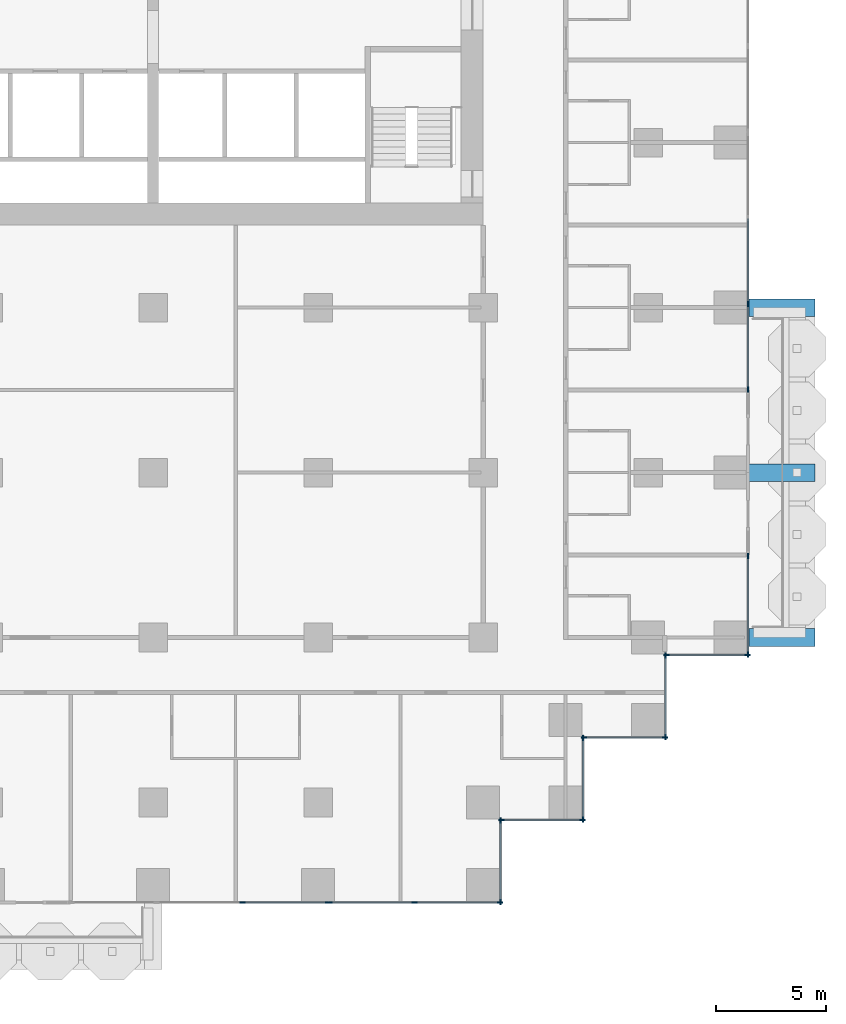
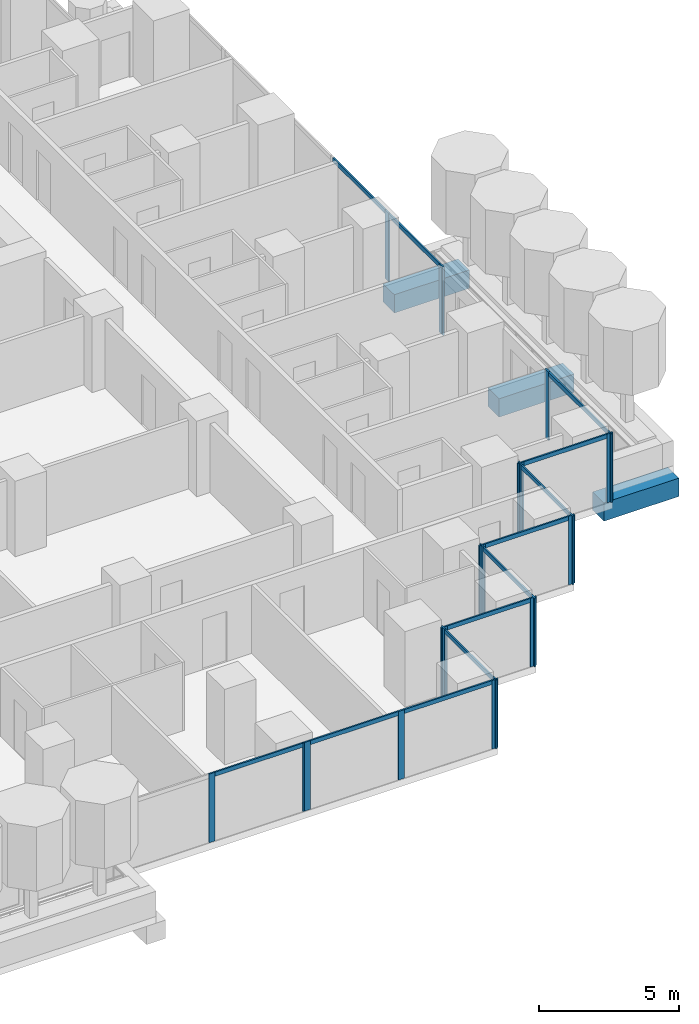
# One storey, part 4 of 18: 33 members, 3 beams, 10 elements without a shape of their own.
"""IFC4 building model written with IfcOpenShell, lengths in metres."""

from ifc_helpers import new_model, si_unit, direction, frame, origin, origin_2d, place, context, subcontext, project, spatial, rectangle, extrude, material, material_profile, profile_set, type_object, element, aggregate, save


model = new_model("IFC4")

# Units and contexts
model_context = context("Model", 3, precision=1e-05, world=origin(), true_north=direction((0.0, 1.0)))
body_context = subcontext(model_context, "Body", "Model", "MODEL_VIEW")
ifc_project = project(units=[si_unit("LENGTHUNIT", "METRE"), si_unit("AREAUNIT", "SQUARE_METRE"), si_unit("VOLUMEUNIT", "CUBIC_METRE"), si_unit("PLANEANGLEUNIT", "RADIAN"), si_unit("MASSUNIT", "GRAM", prefix="KILO")], contexts=[model_context])

# Site, building, storey
site_placement = place(None, origin())
site = spatial("IfcSite", under=ifc_project, at=site_placement, CompositionType="ELEMENT")
building_placement = place(site_placement, origin())
building = spatial("IfcBuilding", under=site, at=building_placement, Name="Pilkhan Gate Tower", CompositionType="ELEMENT")
storey_placement = place(building_placement, frame((0.0, 0.0, 82.39990234375)))
storey = spatial("IfcBuildingStorey", under=building, at=storey_placement, Name="L19", CompositionType="ELEMENT", Elevation=82.39990234375)

# Beams
ifc_material_1 = material(Name="Concrete C50/60", Category="concrete")
ifc_material_profile_1 = material_profile(ifc_material_1, rectangle(XDim=0.800048828125, YDim=0.800048828125, at=origin_2d()), Name="RC 800x800")
ifc_profile_set_1 = profile_set([ifc_material_profile_1], Name="Concrete C50/60")
beam_type = type_object("IfcBeamType", Name="Cantilever beam CB2 RC 800x800 C50/60", PredefinedType="BEAM", material=ifc_profile_set_1)
for number, where, z_axis, x_axis, name in (
    (1, (102.0, 52.5, -0.699951171875), (1.0, 0.0, 0.0), (0.0, 1.0, 0.0), "Balcony beam E.1 L19"),
    (2, (102.0, 60.0, -0.699951171875), (1.0, 0.0, 0.0), (0.0, 1.0, 0.0), "Balcony beam E.2 L19"),
    (3, (102.0, 67.5, -0.699951171875), (1.0, 0.0, 0.0), (0.0, 1.0, 0.0), "Balcony beam E.3 L19"),
):
    element("IfcBeam", number, at=place(storey_placement, frame(where, z_axis=z_axis, x_axis=x_axis)), inside=storey, type_object=beam_type, Name=name, PredefinedType="BEAM", context=body_context, shape_type="SweptSolid", body=[
        extrude(rectangle(XDim=0.800048828125, YDim=0.800048828125, at=origin_2d()), origin(), (0.0, 0.0, 1.0), 3.10009765625),
    ])

# Curtain wall, members
ifc_material_2 = material(Name="Pale anodised aluminium, clear low-iron double glazing", Category="aluminium")
curtain_wall_type = type_object("IfcCurtainWallType", Name="Hotel unitised curtain wall CW-H", PredefinedType="USERDEFINED", material=ifc_material_2)
curtain_wall_1_placement = place(storey_placement, origin())
curtain_wall_1 = element("IfcCurtainWall", 4, at=curtain_wall_1_placement, inside=storey, type_object=curtain_wall_type, Name="Hotel unitised curtain wall CW-H L19 E", ObjectType="UNITISED CURTAIN WALL", PredefinedType="USERDEFINED")
ifc_material_3 = material(Name="Pale anodised aluminium", Category="aluminium")
ifc_material_profile_2 = material_profile(ifc_material_3, rectangle(XDim=0.06494140625, YDim=0.25, at=origin_2d()), Name="Mullion 250x65")
ifc_profile_set_2 = profile_set([ifc_material_profile_2], Name="Pale anodised aluminium")
member_type_1 = type_object("IfcMemberType", Name="Mullion CW-H 250x65", PredefinedType="MULLION", material=ifc_profile_set_2)
member_1_placement = place(storey_placement, frame((102.044921875, 51.737548828125, 0.0), z_axis=(0.0, 0.0, 1.0), x_axis=(-1.0, 0.0, 0.0)))
member_1 = element("IfcMember", 5, at=member_1_placement, type_object=member_type_1, Name="CW-H mullion 1", PredefinedType="MULLION", context=body_context, shape_type="SweptSolid", body=[
    extrude(rectangle(XDim=0.06494140625, YDim=0.25, at=origin_2d()), origin(), (0.0, 0.0, 1.0), 3.0),
])
member_2_placement = place(storey_placement, frame((102.044921875, 56.217529296875, 0.0), z_axis=(0.0, 0.0, 1.0), x_axis=(-1.0, 0.0, 0.0)))
member_2 = element("IfcMember", 6, at=member_2_placement, type_object=member_type_1, Name="CW-H mullion 2", PredefinedType="MULLION", context=body_context, shape_type="SweptSolid", body=[
    extrude(rectangle(XDim=0.06494140625, YDim=0.25, at=origin_2d()), origin(), (0.0, 0.0, 1.0), 3.0),
])

curtain_wall_2_placement = place(storey_placement, origin())
curtain_wall_2 = element("IfcCurtainWall", 7, at=curtain_wall_2_placement, inside=storey, type_object=curtain_wall_type, Name="Hotel unitised curtain wall CW-H L19 E", ObjectType="UNITISED CURTAIN WALL", PredefinedType="USERDEFINED")
member_3_placement = place(storey_placement, frame((102.044921875, 63.782470703125, 0.0), z_axis=(0.0, 0.0, 1.0), x_axis=(-1.0, 0.0, 0.0)))
member_3 = element("IfcMember", 8, at=member_3_placement, type_object=member_type_1, Name="CW-H mullion 1", PredefinedType="MULLION", context=body_context, shape_type="SweptSolid", body=[
    extrude(rectangle(XDim=0.06494140625, YDim=0.25, at=origin_2d()), origin(), (0.0, 0.0, 1.0), 3.0),
])
member_4_placement = place(storey_placement, frame((102.044921875, 67.658935546875, 0.0), z_axis=(0.0, 0.0, 1.0), x_axis=(-1.0, 0.0, 0.0)))
member_4 = element("IfcMember", 9, at=member_4_placement, type_object=member_type_1, Name="CW-H mullion 2", PredefinedType="MULLION", context=body_context, shape_type="SweptSolid", body=[
    extrude(rectangle(XDim=0.06494140625, YDim=0.25, at=origin_2d()), origin(), (0.0, 0.0, 1.0), 3.0),
])

curtain_wall_3_placement = place(storey_placement, origin())
curtain_wall_3 = element("IfcCurtainWall", 10, at=curtain_wall_3_placement, inside=storey, type_object=curtain_wall_type, Name="Hotel unitised curtain wall CW-H L19 S", ObjectType="UNITISED CURTAIN WALL", PredefinedType="USERDEFINED")
member_5_placement = place(storey_placement, frame((79.068115234375, 40.455078125, 0.0), z_axis=(0.0, 0.0, 1.0), x_axis=(0.0, 1.0, 0.0)))
member_5 = element("IfcMember", 11, at=member_5_placement, type_object=member_type_1, Name="CW-H mullion 3", PredefinedType="MULLION", context=body_context, shape_type="SweptSolid", body=[
    extrude(rectangle(XDim=0.06494140625, YDim=0.25, at=origin_2d()), origin(), (0.0, 0.0, 1.0), 3.0),
])
member_6_placement = place(storey_placement, frame((82.944580078125, 40.455078125, 0.0), z_axis=(0.0, 0.0, 1.0), x_axis=(0.0, 1.0, 0.0)))
member_6 = element("IfcMember", 12, at=member_6_placement, type_object=member_type_1, Name="CW-H mullion 4", PredefinedType="MULLION", context=body_context, shape_type="SweptSolid", body=[
    extrude(rectangle(XDim=0.06494140625, YDim=0.25, at=origin_2d()), origin(), (0.0, 0.0, 1.0), 3.0),
])

curtain_wall_4_placement = place(storey_placement, origin())
curtain_wall_4 = element("IfcCurtainWall", 13, at=curtain_wall_4_placement, inside=storey, type_object=curtain_wall_type, Name="Hotel unitised curtain wall CW-H L19 S", ObjectType="UNITISED CURTAIN WALL", PredefinedType="USERDEFINED")
member_7_placement = place(storey_placement, frame((83.009521484375, 40.455078125, 0.0), z_axis=(0.0, 0.0, 1.0), x_axis=(0.0, 1.0, 0.0)))
member_7 = element("IfcMember", 14, at=member_7_placement, type_object=member_type_1, Name="CW-H mullion 1", PredefinedType="MULLION", context=body_context, shape_type="SweptSolid", body=[
    extrude(rectangle(XDim=0.06494140625, YDim=0.25, at=origin_2d()), origin(), (0.0, 0.0, 1.0), 3.0),
])
member_8_placement = place(storey_placement, frame((86.885986328125, 40.455078125, 0.0), z_axis=(0.0, 0.0, 1.0), x_axis=(0.0, 1.0, 0.0)))
member_8 = element("IfcMember", 15, at=member_8_placement, type_object=member_type_1, Name="CW-H mullion 2", PredefinedType="MULLION", context=body_context, shape_type="SweptSolid", body=[
    extrude(rectangle(XDim=0.06494140625, YDim=0.25, at=origin_2d()), origin(), (0.0, 0.0, 1.0), 3.0),
])
member_9_placement = place(storey_placement, frame((90.762451171875, 40.455078125, 0.0), z_axis=(0.0, 0.0, 1.0), x_axis=(0.0, 1.0, 0.0)))
member_9 = element("IfcMember", 16, at=member_9_placement, type_object=member_type_1, Name="CW-H mullion 3", PredefinedType="MULLION", context=body_context, shape_type="SweptSolid", body=[
    extrude(rectangle(XDim=0.06494140625, YDim=0.25, at=origin_2d()), origin(), (0.0, 0.0, 1.0), 3.0),
])

curtain_wall_5_placement = place(storey_placement, origin())
curtain_wall_5 = element("IfcCurtainWall", 17, at=curtain_wall_5_placement, inside=storey, type_object=curtain_wall_type, Name="Hotel unitised curtain wall CW-H L19 E", ObjectType="UNITISED CURTAIN WALL", PredefinedType="USERDEFINED")
member_10_placement = place(storey_placement, frame((90.794921875, 40.487548828125, 0.0), z_axis=(0.0, 0.0, 1.0), x_axis=(-1.0, 0.0, 0.0)))
member_10 = element("IfcMember", 18, at=member_10_placement, type_object=member_type_1, Name="CW-H mullion 1", PredefinedType="MULLION", context=body_context, shape_type="SweptSolid", body=[
    extrude(rectangle(XDim=0.06494140625, YDim=0.25, at=origin_2d()), origin(), (0.0, 0.0, 1.0), 3.0),
])
member_11_placement = place(storey_placement, frame((90.794921875, 44.172607421875, 0.0), z_axis=(0.0, 0.0, 1.0), x_axis=(-1.0, 0.0, 0.0)))
member_11 = element("IfcMember", 19, at=member_11_placement, type_object=member_type_1, Name="CW-H mullion 2", PredefinedType="MULLION", context=body_context, shape_type="SweptSolid", body=[
    extrude(rectangle(XDim=0.06494140625, YDim=0.25, at=origin_2d()), origin(), (0.0, 0.0, 1.0), 3.0),
])

curtain_wall_6_placement = place(storey_placement, origin())
curtain_wall_6 = element("IfcCurtainWall", 20, at=curtain_wall_6_placement, inside=storey, type_object=curtain_wall_type, Name="Hotel unitised curtain wall CW-H L19 S", ObjectType="UNITISED CURTAIN WALL", PredefinedType="USERDEFINED")
member_12_placement = place(storey_placement, frame((90.827392578125, 44.205078125, 0.0), z_axis=(0.0, 0.0, 1.0), x_axis=(0.0, 1.0, 0.0)))
member_12 = element("IfcMember", 21, at=member_12_placement, type_object=member_type_1, Name="CW-H mullion 1", PredefinedType="MULLION", context=body_context, shape_type="SweptSolid", body=[
    extrude(rectangle(XDim=0.06494140625, YDim=0.25, at=origin_2d()), origin(), (0.0, 0.0, 1.0), 3.0),
])
member_13_placement = place(storey_placement, frame((94.512451171875, 44.205078125, 0.0), z_axis=(0.0, 0.0, 1.0), x_axis=(0.0, 1.0, 0.0)))
member_13 = element("IfcMember", 22, at=member_13_placement, type_object=member_type_1, Name="CW-H mullion 2", PredefinedType="MULLION", context=body_context, shape_type="SweptSolid", body=[
    extrude(rectangle(XDim=0.06494140625, YDim=0.25, at=origin_2d()), origin(), (0.0, 0.0, 1.0), 3.0),
])

curtain_wall_7_placement = place(storey_placement, origin())
curtain_wall_7 = element("IfcCurtainWall", 23, at=curtain_wall_7_placement, inside=storey, type_object=curtain_wall_type, Name="Hotel unitised curtain wall CW-H L19 E", ObjectType="UNITISED CURTAIN WALL", PredefinedType="USERDEFINED")
member_14_placement = place(storey_placement, frame((94.544921875, 44.237548828125, 0.0), z_axis=(0.0, 0.0, 1.0), x_axis=(-1.0, 0.0, 0.0)))
member_14 = element("IfcMember", 24, at=member_14_placement, type_object=member_type_1, Name="CW-H mullion 1", PredefinedType="MULLION", context=body_context, shape_type="SweptSolid", body=[
    extrude(rectangle(XDim=0.06494140625, YDim=0.25, at=origin_2d()), origin(), (0.0, 0.0, 1.0), 3.0),
])
member_15_placement = place(storey_placement, frame((94.544921875, 47.922607421875, 0.0), z_axis=(0.0, 0.0, 1.0), x_axis=(-1.0, 0.0, 0.0)))
member_15 = element("IfcMember", 25, at=member_15_placement, type_object=member_type_1, Name="CW-H mullion 2", PredefinedType="MULLION", context=body_context, shape_type="SweptSolid", body=[
    extrude(rectangle(XDim=0.06494140625, YDim=0.25, at=origin_2d()), origin(), (0.0, 0.0, 1.0), 3.0),
])

curtain_wall_8_placement = place(storey_placement, origin())
curtain_wall_8 = element("IfcCurtainWall", 26, at=curtain_wall_8_placement, inside=storey, type_object=curtain_wall_type, Name="Hotel unitised curtain wall CW-H L19 S", ObjectType="UNITISED CURTAIN WALL", PredefinedType="USERDEFINED")
member_16_placement = place(storey_placement, frame((94.577392578125, 47.955078125, 0.0), z_axis=(0.0, 0.0, 1.0), x_axis=(0.0, 1.0, 0.0)))
member_16 = element("IfcMember", 27, at=member_16_placement, type_object=member_type_1, Name="CW-H mullion 1", PredefinedType="MULLION", context=body_context, shape_type="SweptSolid", body=[
    extrude(rectangle(XDim=0.06494140625, YDim=0.25, at=origin_2d()), origin(), (0.0, 0.0, 1.0), 3.0),
])
member_17_placement = place(storey_placement, frame((98.262451171875, 47.955078125, 0.0), z_axis=(0.0, 0.0, 1.0), x_axis=(0.0, 1.0, 0.0)))
member_17 = element("IfcMember", 28, at=member_17_placement, type_object=member_type_1, Name="CW-H mullion 2", PredefinedType="MULLION", context=body_context, shape_type="SweptSolid", body=[
    extrude(rectangle(XDim=0.06494140625, YDim=0.25, at=origin_2d()), origin(), (0.0, 0.0, 1.0), 3.0),
])

curtain_wall_9_placement = place(storey_placement, origin())
curtain_wall_9 = element("IfcCurtainWall", 29, at=curtain_wall_9_placement, inside=storey, type_object=curtain_wall_type, Name="Hotel unitised curtain wall CW-H L19 E", ObjectType="UNITISED CURTAIN WALL", PredefinedType="USERDEFINED")
member_18_placement = place(storey_placement, frame((98.294921875, 47.987548828125, 0.0), z_axis=(0.0, 0.0, 1.0), x_axis=(-1.0, 0.0, 0.0)))
member_18 = element("IfcMember", 30, at=member_18_placement, type_object=member_type_1, Name="CW-H mullion 1", PredefinedType="MULLION", context=body_context, shape_type="SweptSolid", body=[
    extrude(rectangle(XDim=0.06494140625, YDim=0.25, at=origin_2d()), origin(), (0.0, 0.0, 1.0), 3.0),
])
member_19_placement = place(storey_placement, frame((98.294921875, 51.672607421875, 0.0), z_axis=(0.0, 0.0, 1.0), x_axis=(-1.0, 0.0, 0.0)))
member_19 = element("IfcMember", 31, at=member_19_placement, type_object=member_type_1, Name="CW-H mullion 2", PredefinedType="MULLION", context=body_context, shape_type="SweptSolid", body=[
    extrude(rectangle(XDim=0.06494140625, YDim=0.25, at=origin_2d()), origin(), (0.0, 0.0, 1.0), 3.0),
])

curtain_wall_10_placement = place(storey_placement, origin())
curtain_wall_10 = element("IfcCurtainWall", 32, at=curtain_wall_10_placement, inside=storey, type_object=curtain_wall_type, Name="Hotel unitised curtain wall CW-H L19 S", ObjectType="UNITISED CURTAIN WALL", PredefinedType="USERDEFINED")
member_20_placement = place(storey_placement, frame((98.327392578125, 51.705078125, 0.0), z_axis=(0.0, 0.0, 1.0), x_axis=(0.0, 1.0, 0.0)))
member_20 = element("IfcMember", 33, at=member_20_placement, type_object=member_type_1, Name="CW-H mullion 1", PredefinedType="MULLION", context=body_context, shape_type="SweptSolid", body=[
    extrude(rectangle(XDim=0.06494140625, YDim=0.25, at=origin_2d()), origin(), (0.0, 0.0, 1.0), 3.0),
])
member_21_placement = place(storey_placement, frame((102.012451171875, 51.705078125, 0.0), z_axis=(0.0, 0.0, 1.0), x_axis=(0.0, 1.0, 0.0)))
member_21 = element("IfcMember", 34, at=member_21_placement, type_object=member_type_1, Name="CW-H mullion 2", PredefinedType="MULLION", context=body_context, shape_type="SweptSolid", body=[
    extrude(rectangle(XDim=0.06494140625, YDim=0.25, at=origin_2d()), origin(), (0.0, 0.0, 1.0), 3.0),
])

# Member
ifc_material_profile_3 = material_profile(ifc_material_3, rectangle(XDim=0.06494140625, YDim=0.179931640625, at=origin_2d()), Name="Transom 180x65")
ifc_profile_set_3 = profile_set([ifc_material_profile_3], Name="Pale anodised aluminium")
member_type_2 = type_object("IfcMemberType", Name="Transom CW-H 180x65", PredefinedType="USERDEFINED", material=ifc_profile_set_3)
member_22_placement = place(storey_placement, frame((102.044921875, 51.77001953125, 2.91015625), z_axis=(0.0, 1.0, 0.0), x_axis=(-1.0, 0.0, 0.0)))
member_22 = element("IfcMember", 35, at=member_22_placement, type_object=member_type_2, Name="CW-H transom 1", ObjectType="TRANSOM", PredefinedType="USERDEFINED", context=body_context, shape_type="SweptSolid", body=[
    extrude(rectangle(XDim=0.06494140625, YDim=0.179931640625, at=origin_2d()), origin(), (0.0, 0.0, 1.0), 4.4150390625),
])

aggregate(curtain_wall_1, [member_1, member_2, member_22])

member_23_placement = place(storey_placement, frame((102.044921875, 63.81494140625, 2.91015625), z_axis=(0.0, 1.0, 0.0), x_axis=(-1.0, 0.0, 0.0)))
member_23 = element("IfcMember", 36, at=member_23_placement, type_object=member_type_2, Name="CW-H transom 1", ObjectType="TRANSOM", PredefinedType="USERDEFINED", context=body_context, shape_type="SweptSolid", body=[
    extrude(rectangle(XDim=0.06494140625, YDim=0.179931640625, at=origin_2d()), origin(), (0.0, 0.0, 1.0), 3.8115234375),
])

member_24_placement = place(storey_placement, frame((102.044921875, 67.69140625, 2.91015625), z_axis=(0.0, 1.0, 0.0), x_axis=(-1.0, 0.0, 0.0)))
member_24 = element("IfcMember", 37, at=member_24_placement, type_object=member_type_2, Name="CW-H transom 2", ObjectType="TRANSOM", PredefinedType="USERDEFINED", context=body_context, shape_type="SweptSolid", body=[
    extrude(rectangle(XDim=0.06494140625, YDim=0.179931640625, at=origin_2d()), origin(), (0.0, 0.0, 1.0), 3.843994140625),
])

aggregate(curtain_wall_2, [member_3, member_4, member_23, member_24])

member_25_placement = place(storey_placement, frame((79.1005859375, 40.455078125, 2.91015625), z_axis=(1.0, 0.0, 0.0), x_axis=(0.0, 1.0, 0.0)))
member_25 = element("IfcMember", 38, at=member_25_placement, type_object=member_type_2, Name="CW-H transom 3", ObjectType="TRANSOM", PredefinedType="USERDEFINED", context=body_context, shape_type="SweptSolid", body=[
    extrude(rectangle(XDim=0.06494140625, YDim=0.179931640625, at=origin_2d()), origin(), (0.0, 0.0, 1.0), 3.8115234375),
])

aggregate(curtain_wall_3, [member_5, member_6, member_25])

member_26_placement = place(storey_placement, frame((83.0419921875, 40.455078125, 2.91015625), z_axis=(1.0, 0.0, 0.0), x_axis=(0.0, 1.0, 0.0)))
member_26 = element("IfcMember", 39, at=member_26_placement, type_object=member_type_2, Name="CW-H transom 1", ObjectType="TRANSOM", PredefinedType="USERDEFINED", context=body_context, shape_type="SweptSolid", body=[
    extrude(rectangle(XDim=0.06494140625, YDim=0.179931640625, at=origin_2d()), origin(), (0.0, 0.0, 1.0), 3.8115234375),
])

member_27_placement = place(storey_placement, frame((86.91845703125, 40.455078125, 2.91015625), z_axis=(1.0, 0.0, 0.0), x_axis=(0.0, 1.0, 0.0)))
member_27 = element("IfcMember", 40, at=member_27_placement, type_object=member_type_2, Name="CW-H transom 2", ObjectType="TRANSOM", PredefinedType="USERDEFINED", context=body_context, shape_type="SweptSolid", body=[
    extrude(rectangle(XDim=0.06494140625, YDim=0.179931640625, at=origin_2d()), origin(), (0.0, 0.0, 1.0), 3.8115234375),
])

aggregate(curtain_wall_4, [member_7, member_8, member_9, member_26, member_27])

member_28_placement = place(storey_placement, frame((90.794921875, 40.52001953125, 2.91015625), z_axis=(0.0, 1.0, 0.0), x_axis=(-1.0, 0.0, 0.0)))
member_28 = element("IfcMember", 41, at=member_28_placement, type_object=member_type_2, Name="CW-H transom 1", ObjectType="TRANSOM", PredefinedType="USERDEFINED", context=body_context, shape_type="SweptSolid", body=[
    extrude(rectangle(XDim=0.06494140625, YDim=0.179931640625, at=origin_2d()), origin(), (0.0, 0.0, 1.0), 3.619873046875),
])

aggregate(curtain_wall_5, [member_10, member_11, member_28])

member_29_placement = place(storey_placement, frame((90.860107421875, 44.205078125, 2.91015625), z_axis=(1.0, 0.0, 0.0), x_axis=(0.0, 1.0, 0.0)))
member_29 = element("IfcMember", 42, at=member_29_placement, type_object=member_type_2, Name="CW-H transom 1", ObjectType="TRANSOM", PredefinedType="USERDEFINED", context=body_context, shape_type="SweptSolid", body=[
    extrude(rectangle(XDim=0.06494140625, YDim=0.179931640625, at=origin_2d()), origin(), (0.0, 0.0, 1.0), 3.619873046875),
])

aggregate(curtain_wall_6, [member_12, member_13, member_29])

member_30_placement = place(storey_placement, frame((94.544921875, 44.27001953125, 2.91015625), z_axis=(0.0, 1.0, 0.0), x_axis=(-1.0, 0.0, 0.0)))
member_30 = element("IfcMember", 43, at=member_30_placement, type_object=member_type_2, Name="CW-H transom 1", ObjectType="TRANSOM", PredefinedType="USERDEFINED", context=body_context, shape_type="SweptSolid", body=[
    extrude(rectangle(XDim=0.06494140625, YDim=0.179931640625, at=origin_2d()), origin(), (0.0, 0.0, 1.0), 3.619873046875),
])

aggregate(curtain_wall_7, [member_14, member_15, member_30])

member_31_placement = place(storey_placement, frame((94.610107421875, 47.955078125, 2.91015625), z_axis=(1.0, 0.0, 0.0), x_axis=(0.0, 1.0, 0.0)))
member_31 = element("IfcMember", 44, at=member_31_placement, type_object=member_type_2, Name="CW-H transom 1", ObjectType="TRANSOM", PredefinedType="USERDEFINED", context=body_context, shape_type="SweptSolid", body=[
    extrude(rectangle(XDim=0.06494140625, YDim=0.179931640625, at=origin_2d()), origin(), (0.0, 0.0, 1.0), 3.619873046875),
])

aggregate(curtain_wall_8, [member_16, member_17, member_31])

member_32_placement = place(storey_placement, frame((98.294921875, 48.02001953125, 2.91015625), z_axis=(0.0, 1.0, 0.0), x_axis=(-1.0, 0.0, 0.0)))
member_32 = element("IfcMember", 45, at=member_32_placement, type_object=member_type_2, Name="CW-H transom 1", ObjectType="TRANSOM", PredefinedType="USERDEFINED", context=body_context, shape_type="SweptSolid", body=[
    extrude(rectangle(XDim=0.06494140625, YDim=0.179931640625, at=origin_2d()), origin(), (0.0, 0.0, 1.0), 3.619873046875),
])

aggregate(curtain_wall_9, [member_18, member_19, member_32])

member_33_placement = place(storey_placement, frame((98.360107421875, 51.705078125, 2.91015625), z_axis=(1.0, 0.0, 0.0), x_axis=(0.0, 1.0, 0.0)))
member_33 = element("IfcMember", 46, at=member_33_placement, type_object=member_type_2, Name="CW-H transom 1", ObjectType="TRANSOM", PredefinedType="USERDEFINED", context=body_context, shape_type="SweptSolid", body=[
    extrude(rectangle(XDim=0.06494140625, YDim=0.179931640625, at=origin_2d()), origin(), (0.0, 0.0, 1.0), 3.619873046875),
])

aggregate(curtain_wall_10, [member_20, member_21, member_33])

save(model, "model.ifc")
